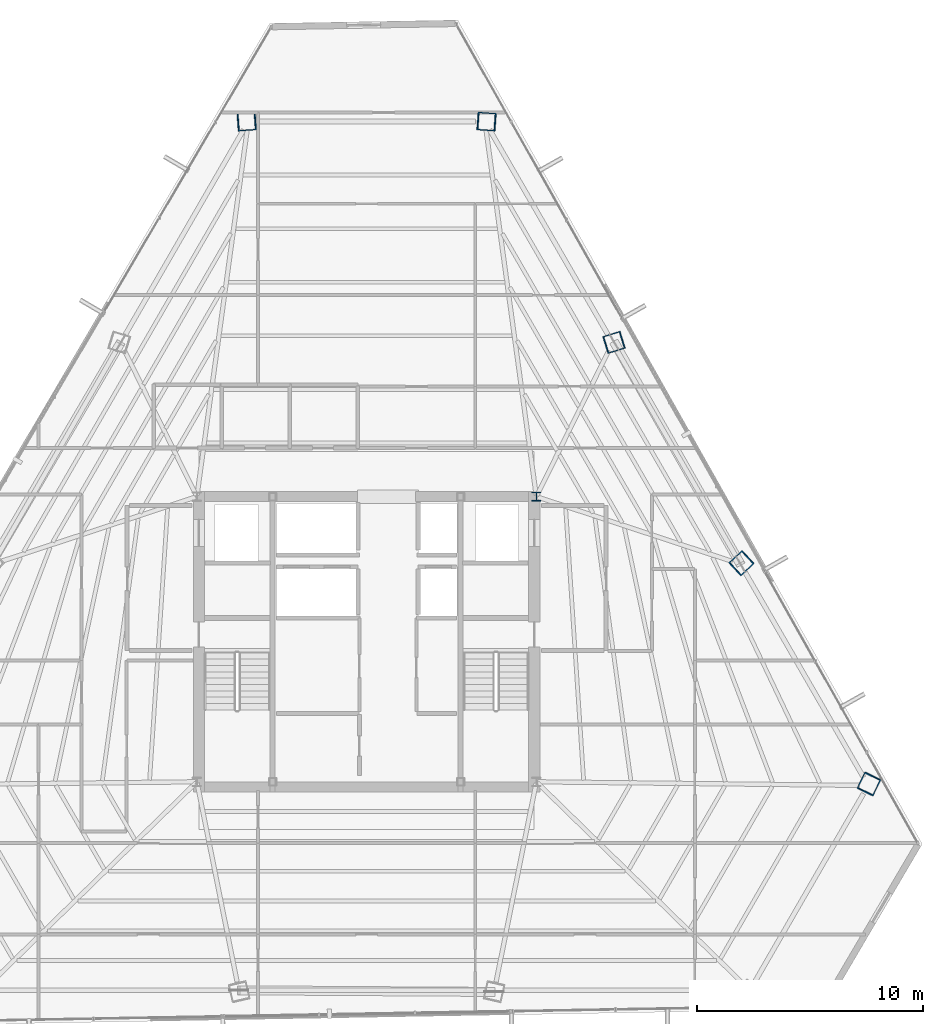
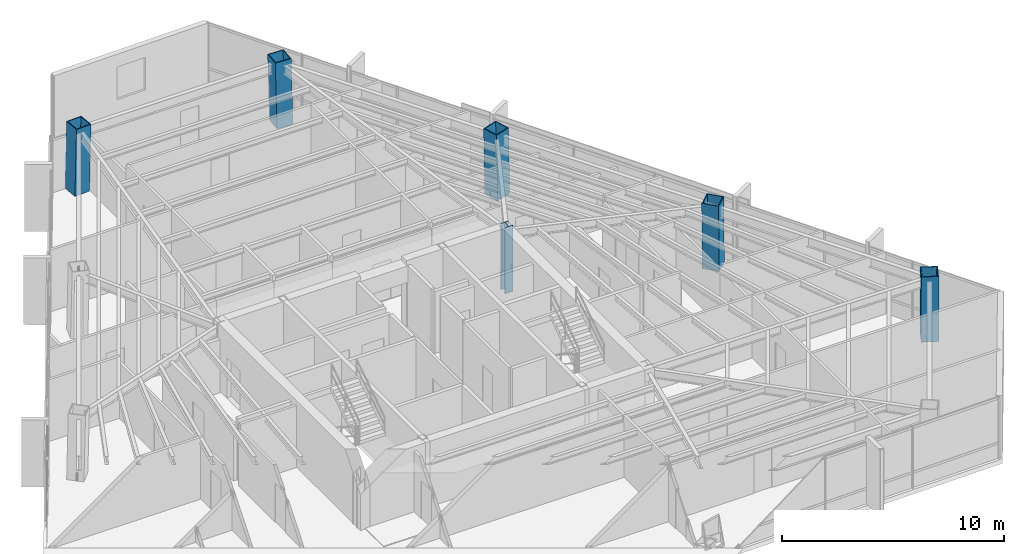
# One storey, part 2 of 42: 6 columns.
"""IFC4 building model written with IfcOpenShell, lengths in metres."""

from ifc_helpers import new_model, si_unit, direction, frame, origin, origin_2d, place, context, subcontext, project, spatial, hollow_rectangle, i_section, extrude, source, transform, mapped, material, material_profile, profile_set, type_object, type_shapes, element, save


model = new_model("IFC4")

# Units and contexts
model_context = context("Model", 3, precision=1e-05, world=origin(), true_north=direction((0.0, 1.0)))
body_context = subcontext(model_context, "Body", "Model", "MODEL_VIEW")
ifc_project = project(units=[si_unit("LENGTHUNIT", "METRE"), si_unit("AREAUNIT", "SQUARE_METRE"), si_unit("VOLUMEUNIT", "CUBIC_METRE"), si_unit("PLANEANGLEUNIT", "RADIAN"), si_unit("MASSUNIT", "GRAM", prefix="KILO")], contexts=[model_context])

# Site, building, storey
site_placement = place(None, origin())
site = spatial("IfcSite", under=ifc_project, at=site_placement, CompositionType="ELEMENT")
building_placement = place(site_placement, origin())
building = spatial("IfcBuilding", under=site, at=building_placement, Name="Caelisora Broadcast Tower", CompositionType="ELEMENT")
storey_placement = place(building_placement, frame((0.0, 0.0, 195.0)))
storey = spatial("IfcBuildingStorey", under=building, at=storey_placement, Name="L51", CompositionType="ELEMENT", Elevation=195.0)

# Columns
ifc_material_1 = material(Name="Steel Grade 350 (AS/NZS 3679.2)", Category="steel")
ifc_material_profile_1 = material_profile(ifc_material_1, i_section(OverallWidth=0.39990234375, OverallDepth=0.39990234375, WebThickness=0.02001953125, FlangeThickness=0.031982421875, at=origin_2d()), Name="Steel Grade 350 (AS/NZS 3679.2)")
ifc_profile_set_1 = profile_set([ifc_material_profile_1], Name="Steel Grade 350 (AS/NZS 3679.2)")
column_type_1 = type_object("IfcColumnType", Name="CC02", PredefinedType="COLUMN", material=ifc_profile_set_1)
shared_shape_1 = source(origin(), body_context, "Body", "SweptSolid", [
    extrude(i_section(OverallWidth=0.39990234375, OverallDepth=0.39990234375, WebThickness=0.02001953125, FlangeThickness=0.031982421875, at=origin_2d()), origin(), (0.0, 0.0, 1.0), 3.64990234375),
])
type_shapes(column_type_1, [shared_shape_1])
column_placement = place(storey_placement, frame((45.5, 30.0, 0.0), z_axis=(0.0, 0.0, 1.0), x_axis=(1.0, 0.0, 0.0)))
element("IfcColumn", 1, at=column_placement, inside=storey, type_object=column_type_1, Name="L51 column CC02", PredefinedType="COLUMN", context=body_context, shape_type="MappedRepresentation", body=[
    mapped(shared_shape_1, transform((0.0, 0.0, 0.0), scale=1.0)),
])
ifc_material_2 = material(Name="Steel Grade 350 L15 (AS/NZS 3678)", Category="steel")
ifc_material_profile_2 = material_profile(ifc_material_2, hollow_rectangle(XDim=0.800048828125, YDim=0.800048828125, WallThickness=0.044921875, at=origin_2d()), Name="Steel Grade 350 L15 (AS/NZS 3678)")
ifc_profile_set_2 = profile_set([ifc_material_profile_2], Name="Steel Grade 350 L15 (AS/NZS 3678)")
column_type_2 = type_object("IfcColumnType", Name="MC05", PredefinedType="COLUMN", material=ifc_profile_set_2)
shared_shape_2 = source(origin(), body_context, "Body", "SweptSolid", [
    extrude(hollow_rectangle(XDim=0.800048828125, YDim=0.800048828125, WallThickness=0.044921875, at=origin_2d()), origin(), (0.0, 0.0, 1.0), 3.65087890625),
])
for number, where, z_axis, x_axis, name in (
    (2, (43.312744140625, 46.566650390625, 0.0), (-0.023872756997, 0.001738632162, 0.999713493273), (-0.07263675076, -0.997358462359, 0.0), "L51 column MC05"),
    (3, (32.687255859375, 46.566650390625, 0.0), (0.023872756997, 0.001738632162, 0.999713493273), (-0.07263675076, 0.997358462359, 0.0), "L51 column MC05"),
    (4, (60.19970703125, 17.317626953125, 0.0), (-0.010431795422, -0.021532295679, 0.999713727968), (0.899947055326, -0.435999194506, 0.0), "L51 column MC05"),
):
    element("IfcColumn", number, at=place(storey_placement, frame(where, z_axis=z_axis, x_axis=x_axis)), inside=storey, type_object=column_type_2, Name=name, PredefinedType="COLUMN", context=body_context, shape_type="MappedRepresentation", body=[
        mapped(shared_shape_2, transform((0.0, 0.0, 0.0), scale=1.0)),
    ])
shared_shape_3 = source(origin(), body_context, "Body", "SweptSolid", [
    extrude(hollow_rectangle(XDim=0.800048828125, YDim=0.800048828125, WallThickness=0.044921875, at=origin_2d()), origin(), (0.0, 0.0, 1.0), 3.650634765625),
])
type_shapes(column_type_2, [shared_shape_2, shared_shape_3])
for number, where, z_axis, x_axis, name in (
    (5, (54.570556640625, 27.0673828125, 0.0), (-0.014913313399, -0.013776424037, 0.999793880369), (0.678553674548, -0.734550822447, 0.0), "L51 column MC05"),
    (6, (48.941650390625, 36.81689453125, 0.0), (-0.019393993486, -0.006018825565, 0.999793802119), (0.296399214872, -0.955064136811, 0.0), "L51 column MC05"),
):
    element("IfcColumn", number, at=place(storey_placement, frame(where, z_axis=z_axis, x_axis=x_axis)), inside=storey, type_object=column_type_2, Name=name, PredefinedType="COLUMN", context=body_context, shape_type="MappedRepresentation", body=[
        mapped(shared_shape_3, transform((0.0, 0.0, 0.0), scale=1.0)),
    ])

save(model, "model.ifc")
